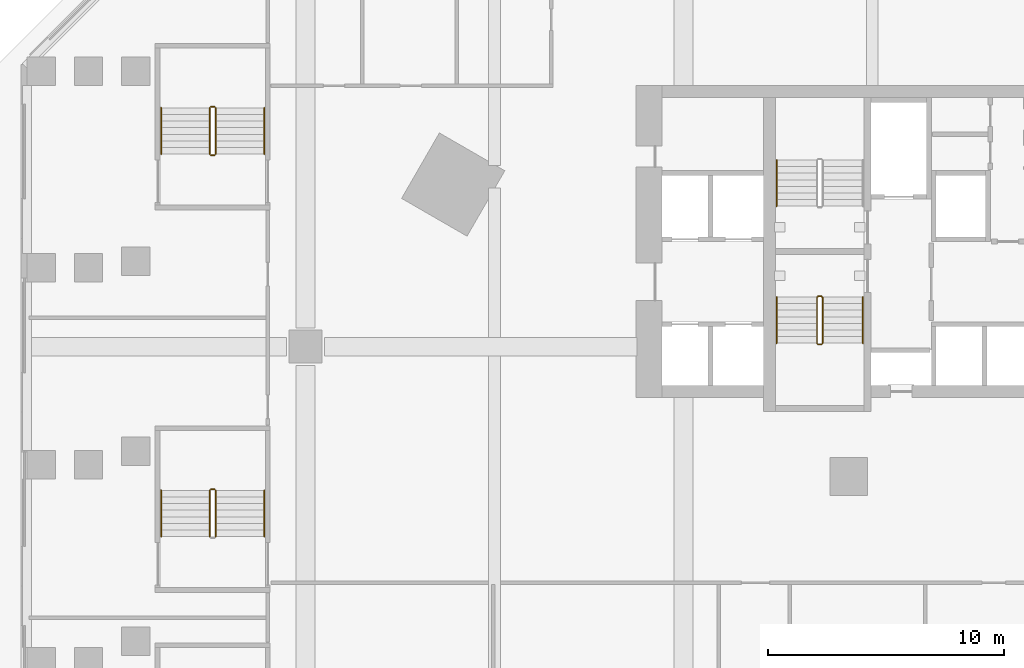
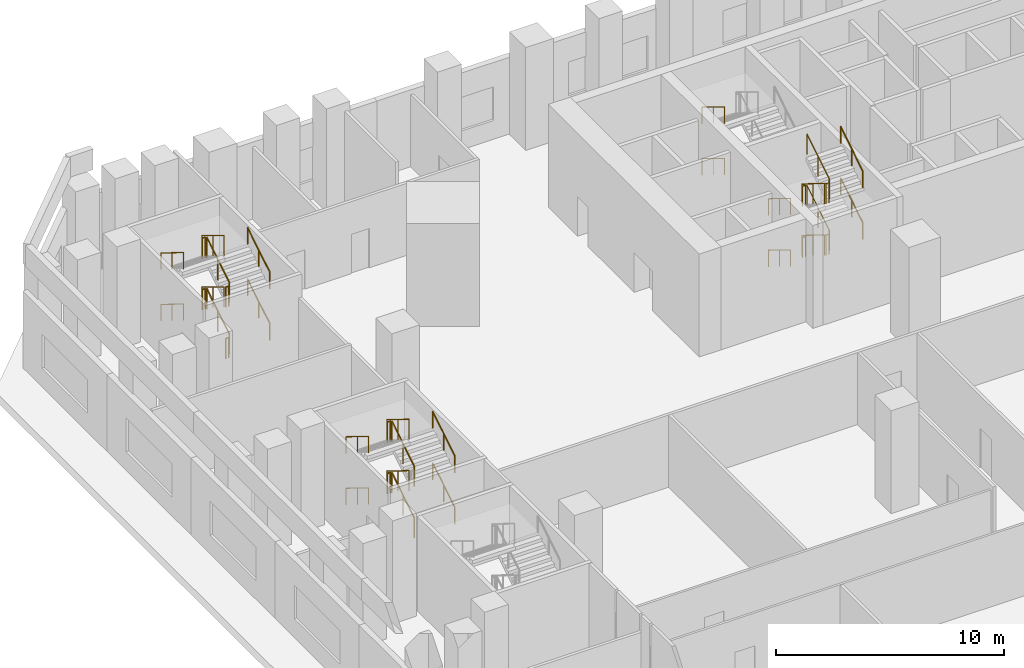
# One storey, part 19 of 22: 29 railings.
"""IFC4 building model written with IfcOpenShell, lengths in metres."""

from ifc_helpers import new_model, si_unit, direction, frame, origin, origin_2d, place, context, subcontext, project, spatial, circle, extrude, material, type_object, element, save


model = new_model("IFC4")

# Units and contexts
model_context = context("Model", 3, precision=1e-05, world=origin(), true_north=direction((0.0, 1.0)))
body_context = subcontext(model_context, "Body", "Model", "MODEL_VIEW")
ifc_project = project(units=[si_unit("LENGTHUNIT", "METRE"), si_unit("AREAUNIT", "SQUARE_METRE"), si_unit("VOLUMEUNIT", "CUBIC_METRE"), si_unit("PLANEANGLEUNIT", "RADIAN"), si_unit("MASSUNIT", "GRAM", prefix="KILO")], contexts=[model_context])

# Site, building, storey
site_placement = place(None, origin())
site = spatial("IfcSite", under=ifc_project, at=site_placement, CompositionType="ELEMENT")
building_placement = place(site_placement, origin())
building = spatial("IfcBuilding", under=site, at=building_placement, Name="Calabash Gate Tower", CompositionType="ELEMENT")
storey_placement = place(building_placement, frame((0.0, 0.0, 29.0)))
storey = spatial("IfcBuildingStorey", under=building, at=storey_placement, Name="L03", CompositionType="ELEMENT", Elevation=29.0)

# Railings
ifc_material_1 = material(Name="Black powder-coated steel balusters", Category="steel")
railing_type_1 = type_object("IfcRailingType", Name="Stair guard RL1100", PredefinedType="GUARDRAIL", material=ifc_material_1)
railing_1_placement = place(storey_placement, frame((-10.300048828125, 10.152587890625, 0.0)))
element("IfcRailing", 1, at=railing_1_placement, inside=storey, type_object=railing_type_1, Name="L03 ST2 stair guard 1", PredefinedType="GUARDRAIL", context=body_context, shape_type="SweptSolid", body=[
    extrude(circle(Radius=0.02392578125, at=origin_2d()), frame((0.0, 0.0, 1.076171875), z_axis=(1.0, 0.0, 0.0), x_axis=(0.0, 1.0, 0.0)), (0.0, 0.0, 1.0), 0.150146484375),
    extrude(circle(Radius=0.02392578125, at=origin_2d()), frame((0.150146484375, 0.0, 1.076171875), z_axis=(-0.745441916174, -0.186360479043, 0.6399891573), x_axis=(0.242535625036, -0.970142500145, 0.0)), (0.0, 0.0, 1.0), 0.2685546875),
    extrude(circle(Radius=0.02392578125, at=origin_2d()), frame((-0.050048828125, -0.050048828125, 1.248046875), z_axis=(0.0, -0.851395084437, 0.52452493763), x_axis=(1.0, 0.0, 0.0)), (0.0, 0.0, 1.0), 2.293701171875),
    extrude(circle(Radius=0.02392578125, at=origin_2d()), frame((-0.050048828125, -2.0029296875, 2.451171875), z_axis=(0.707106781187, -0.707106781187, 0.0), x_axis=(0.707106781187, 0.707106781187, 0.0)), (0.0, 0.0, 1.0), 0.07080078125),
    extrude(circle(Radius=0.02392578125, at=origin_2d()), frame((0.0, -2.052978515625, 2.451171875), z_axis=(1.0, 0.0, 0.0), x_axis=(0.0, 1.0, 0.0)), (0.0, 0.0, 1.0), 0.150146484375),
    extrude(circle(Radius=0.02392578125, at=origin_2d()), frame((0.150146484375, -2.052978515625, 2.451171875), z_axis=(0.268036860282, 0.26935076646, 0.924989949209), x_axis=(-0.708833529934, 0.705375805398, 0.0)), (0.0, 0.0, 1.0), 0.185791015625),
    extrude(circle(Radius=0.02392578125, at=origin_2d()), frame((0.199951171875, -2.0029296875, 2.623046875), z_axis=(0.0, 0.851395084437, 0.52452493763), x_axis=(-1.0, 0.0, 0.0)), (0.0, 0.0, 1.0), 2.293701171875),
    extrude(circle(Radius=0.02392578125, at=origin_2d()), frame((0.199951171875, -0.050048828125, 3.826171875), z_axis=(-0.970072785993, 0.242814311512, 0.0), x_axis=(-0.242814311512, -0.970072785993, 0.0)), (0.0, 0.0, 1.0), 0.2060546875),
    extrude(circle(Radius=0.02392578125, at=origin_2d()), frame((0.0, 0.0, 3.826171875), z_axis=(1.0, 0.0, 0.0), x_axis=(0.0, 1.0, 0.0)), (0.0, 0.0, 1.0), 0.150146484375),
    extrude(circle(Radius=0.02392578125, at=origin_2d()), frame((0.150146484375, 0.0, 3.826171875), z_axis=(-0.745441916174, -0.186360479043, 0.6399891573), x_axis=(0.242535625036, -0.970142500145, 0.0)), (0.0, 0.0, 1.0), 0.2685546875),
    extrude(circle(Radius=0.02392578125, at=origin_2d()), frame((-0.050048828125, -0.050048828125, 3.998046875), z_axis=(0.0, -0.851395084437, 0.52452493763), x_axis=(1.0, 0.0, 0.0)), (0.0, 0.0, 1.0), 2.293701171875),
    extrude(circle(Radius=0.02392578125, at=origin_2d()), frame((-0.050048828125, -2.0029296875, 5.201171875), z_axis=(0.707106781187, -0.707106781187, 0.0), x_axis=(0.707106781187, 0.707106781187, 0.0)), (0.0, 0.0, 1.0), 0.07080078125),
    extrude(circle(Radius=0.02392578125, at=origin_2d()), frame((0.0, -2.052978515625, 5.201171875), z_axis=(1.0, 0.0, 0.0), x_axis=(0.0, 1.0, 0.0)), (0.0, 0.0, 1.0), 0.150146484375),
    extrude(circle(Radius=0.02392578125, at=origin_2d()), frame((0.150146484375, -2.052978515625, 5.201171875), z_axis=(0.268036860282, 0.26935076646, 0.924989949209), x_axis=(-0.708833529934, 0.705375805398, 0.0)), (0.0, 0.0, 1.0), 0.185791015625),
    extrude(circle(Radius=0.02392578125, at=origin_2d()), frame((0.199951171875, -2.0029296875, 5.373046875), z_axis=(0.0, 0.851395084437, 0.52452493763), x_axis=(-1.0, 0.0, 0.0)), (0.0, 0.0, 1.0), 2.293701171875),
    extrude(circle(Radius=0.02099609375, at=origin_2d()), origin(), (0.0, 0.0, 1.0), 1.052001953125),
    extrude(circle(Radius=0.02099609375, at=origin_2d()), frame((0.150146484375, 0.0, 0.0)), (0.0, 0.0, 1.0), 1.052001953125),
    extrude(circle(Radius=0.02099609375, at=origin_2d()), frame((-0.050048828125, -0.050048828125, 0.171875)), (0.0, 0.0, 1.0), 1.052001953125),
    extrude(circle(Radius=0.02099609375, at=origin_2d()), frame((-0.050048828125, -1.0263671875, 0.7734375)), (0.0, 0.0, 1.0), 1.052001953125),
    extrude(circle(Radius=0.02099609375, at=origin_2d()), frame((-0.050048828125, -2.0029296875, 1.375)), (0.0, 0.0, 1.0), 1.052001953125),
    extrude(circle(Radius=0.02099609375, at=origin_2d()), frame((0.0, -2.052978515625, 1.375)), (0.0, 0.0, 1.0), 1.052001953125),
    extrude(circle(Radius=0.02099609375, at=origin_2d()), frame((0.150146484375, -2.052978515625, 1.375)), (0.0, 0.0, 1.0), 1.052001953125),
    extrude(circle(Radius=0.02099609375, at=origin_2d()), frame((0.199951171875, -2.0029296875, 1.546875)), (0.0, 0.0, 1.0), 1.052001953125),
    extrude(circle(Radius=0.02099609375, at=origin_2d()), frame((0.199951171875, -1.0263671875, 2.1484375)), (0.0, 0.0, 1.0), 1.052001953125),
    extrude(circle(Radius=0.02099609375, at=origin_2d()), frame((0.199951171875, -0.050048828125, 2.75)), (0.0, 0.0, 1.0), 1.052001953125),
    extrude(circle(Radius=0.02099609375, at=origin_2d()), frame((0.0, 0.0, 2.75)), (0.0, 0.0, 1.0), 1.052001953125),
    extrude(circle(Radius=0.02099609375, at=origin_2d()), frame((0.150146484375, 0.0, 2.75)), (0.0, 0.0, 1.0), 1.052001953125),
    extrude(circle(Radius=0.02099609375, at=origin_2d()), frame((-0.050048828125, -0.050048828125, 2.921875)), (0.0, 0.0, 1.0), 1.052001953125),
    extrude(circle(Radius=0.02099609375, at=origin_2d()), frame((-0.050048828125, -1.0263671875, 3.5234375)), (0.0, 0.0, 1.0), 1.052001953125),
    extrude(circle(Radius=0.02099609375, at=origin_2d()), frame((-0.050048828125, -2.0029296875, 4.125)), (0.0, 0.0, 1.0), 1.052001953125),
    extrude(circle(Radius=0.02099609375, at=origin_2d()), frame((0.0, -2.052978515625, 4.125)), (0.0, 0.0, 1.0), 1.052001953125),
    extrude(circle(Radius=0.02099609375, at=origin_2d()), frame((0.150146484375, -2.052978515625, 4.125)), (0.0, 0.0, 1.0), 1.052001953125),
    extrude(circle(Radius=0.02099609375, at=origin_2d()), frame((0.199951171875, -2.0029296875, 4.296875)), (0.0, 0.0, 1.0), 1.052001953125),
    extrude(circle(Radius=0.02099609375, at=origin_2d()), frame((0.199951171875, -1.0263671875, 4.8984375)), (0.0, 0.0, 1.0), 1.052001953125),
    extrude(circle(Radius=0.02099609375, at=origin_2d()), frame((0.199951171875, -0.050048828125, 5.5)), (0.0, 0.0, 1.0), 1.052001953125),
])
railing_2_placement = place(storey_placement, frame((-35.81005859375, -0.0400390625, 0.171875)))
element("IfcRailing", 2, at=railing_2_placement, inside=storey, type_object=railing_type_1, Name="L03 PS4 stair guard 1", PredefinedType="GUARDRAIL", context=body_context, shape_type="SweptSolid", body=[
    extrude(circle(Radius=0.02392578125, at=origin_2d()), frame((0.0, 0.0, 1.076171875), z_axis=(0.0, 0.851424364277, 0.524477408394), x_axis=(-1.0, 0.0, 0.0)), (0.0, 0.0, 1.0), 2.2939453125),
    extrude(circle(Radius=0.02099609375, at=origin_2d()), origin(), (0.0, 0.0, 1.0), 1.052001953125),
    extrude(circle(Radius=0.02099609375, at=origin_2d()), frame((0.0, 0.9765625, 0.6015625)), (0.0, 0.0, 1.0), 1.052001953125),
    extrude(circle(Radius=0.02099609375, at=origin_2d()), frame((0.0, 1.953125, 1.203125)), (0.0, 0.0, 1.0), 1.052001953125),
])
railing_3_placement = place(storey_placement, frame((-35.860107421875, 1.962890625, 1.375)))
element("IfcRailing", 3, at=railing_3_placement, inside=storey, type_object=railing_type_1, Name="L03 PS4 stair guard 2", PredefinedType="GUARDRAIL", context=body_context, shape_type="SweptSolid", body=[
    extrude(circle(Radius=0.02392578125, at=origin_2d()), frame((0.0, 0.0, 1.076171875), z_axis=(-1.0, 0.0, 0.0), x_axis=(0.0, -1.0, 0.0)), (0.0, 0.0, 1.0), 0.14990234375),
    extrude(circle(Radius=0.02099609375, at=origin_2d()), origin(), (0.0, 0.0, 1.0), 1.052001953125),
    extrude(circle(Radius=0.02099609375, at=origin_2d()), frame((-0.14990234375, 0.0, 0.0)), (0.0, 0.0, 1.0), 1.052001953125),
])
railing_4_placement = place(storey_placement, frame((-36.06005859375, 1.9130859375, 1.546875)))
element("IfcRailing", 4, at=railing_4_placement, inside=storey, type_object=railing_type_1, Name="L03 PS4 stair guard 3", PredefinedType="GUARDRAIL", context=body_context, shape_type="SweptSolid", body=[
    extrude(circle(Radius=0.02392578125, at=origin_2d()), frame((0.0, 0.0, 1.076171875), z_axis=(0.0, -0.851424364277, 0.524477408394), x_axis=(1.0, 0.0, 0.0)), (0.0, 0.0, 1.0), 2.2939453125),
    extrude(circle(Radius=0.02099609375, at=origin_2d()), origin(), (0.0, 0.0, 1.0), 1.052001953125),
    extrude(circle(Radius=0.02099609375, at=origin_2d()), frame((0.0, -0.9765625, 0.6015625)), (0.0, 0.0, 1.0), 1.052001953125),
    extrude(circle(Radius=0.02099609375, at=origin_2d()), frame((0.0, -1.953125, 1.203125)), (0.0, 0.0, 1.0), 1.052001953125),
])
railing_5_placement = place(storey_placement, frame((-35.81005859375, -0.0400390625, 2.921875)))
element("IfcRailing", 5, at=railing_5_placement, inside=storey, type_object=railing_type_1, Name="L03 PS4 stair guard 5", PredefinedType="GUARDRAIL", context=body_context, shape_type="SweptSolid", body=[
    extrude(circle(Radius=0.02392578125, at=origin_2d()), frame((0.0, 0.0, 1.076171875), z_axis=(0.0, 0.851424364277, 0.524477408394), x_axis=(-1.0, 0.0, 0.0)), (0.0, 0.0, 1.0), 2.2939453125),
    extrude(circle(Radius=0.02099609375, at=origin_2d()), origin(), (0.0, 0.0, 1.0), 1.052001953125),
    extrude(circle(Radius=0.02099609375, at=origin_2d()), frame((0.0, 0.9765625, 0.6015625)), (0.0, 0.0, 1.0), 1.052001953125),
    extrude(circle(Radius=0.02099609375, at=origin_2d()), frame((0.0, 1.953125, 1.203125)), (0.0, 0.0, 1.0), 1.052001953125),
])
railing_6_placement = place(storey_placement, frame((-35.860107421875, 1.962890625, 4.125)))
element("IfcRailing", 6, at=railing_6_placement, inside=storey, type_object=railing_type_1, Name="L03 PS4 stair guard 6", PredefinedType="GUARDRAIL", context=body_context, shape_type="SweptSolid", body=[
    extrude(circle(Radius=0.02392578125, at=origin_2d()), frame((0.0, 0.0, 1.076171875), z_axis=(-1.0, 0.0, 0.0), x_axis=(0.0, -1.0, 0.0)), (0.0, 0.0, 1.0), 0.14990234375),
    extrude(circle(Radius=0.02099609375, at=origin_2d()), origin(), (0.0, 0.0, 1.0), 1.052001953125),
    extrude(circle(Radius=0.02099609375, at=origin_2d()), frame((-0.14990234375, 0.0, 0.0)), (0.0, 0.0, 1.0), 1.052001953125),
])
railing_7_placement = place(storey_placement, frame((-36.06005859375, 1.9130859375, 4.296875)))
element("IfcRailing", 7, at=railing_7_placement, inside=storey, type_object=railing_type_1, Name="L03 PS4 stair guard 7", PredefinedType="GUARDRAIL", context=body_context, shape_type="SweptSolid", body=[
    extrude(circle(Radius=0.02392578125, at=origin_2d()), frame((0.0, 0.0, 1.076171875), z_axis=(0.0, -0.851424364277, 0.524477408394), x_axis=(1.0, 0.0, 0.0)), (0.0, 0.0, 1.0), 2.2939453125),
    extrude(circle(Radius=0.02099609375, at=origin_2d()), origin(), (0.0, 0.0, 1.0), 1.052001953125),
    extrude(circle(Radius=0.02099609375, at=origin_2d()), frame((0.0, -0.9765625, 0.6015625)), (0.0, 0.0, 1.0), 1.052001953125),
    extrude(circle(Radius=0.02099609375, at=origin_2d()), frame((0.0, -1.953125, 1.203125)), (0.0, 0.0, 1.0), 1.052001953125),
])
railing_8_placement = place(storey_placement, frame((-35.81005859375, 16.159912109375, 0.171875)))
element("IfcRailing", 8, at=railing_8_placement, inside=storey, type_object=railing_type_1, Name="L03 PS5 stair guard 1", PredefinedType="GUARDRAIL", context=body_context, shape_type="SweptSolid", body=[
    extrude(circle(Radius=0.02392578125, at=origin_2d()), frame((0.0, 0.0, 1.076171875), z_axis=(0.0, 0.851424364277, 0.524477408394), x_axis=(-1.0, 0.0, 0.0)), (0.0, 0.0, 1.0), 2.2939453125),
    extrude(circle(Radius=0.02099609375, at=origin_2d()), origin(), (0.0, 0.0, 1.0), 1.052001953125),
    extrude(circle(Radius=0.02099609375, at=origin_2d()), frame((0.0, 0.9765625, 0.6015625)), (0.0, 0.0, 1.0), 1.052001953125),
    extrude(circle(Radius=0.02099609375, at=origin_2d()), frame((0.0, 1.953125, 1.203125)), (0.0, 0.0, 1.0), 1.052001953125),
])
railing_9_placement = place(storey_placement, frame((-35.860107421875, 18.1630859375, 1.375)))
element("IfcRailing", 9, at=railing_9_placement, inside=storey, type_object=railing_type_1, Name="L03 PS5 stair guard 2", PredefinedType="GUARDRAIL", context=body_context, shape_type="SweptSolid", body=[
    extrude(circle(Radius=0.02392578125, at=origin_2d()), frame((0.0, 0.0, 1.076171875), z_axis=(-1.0, 0.0, 0.0), x_axis=(0.0, -1.0, 0.0)), (0.0, 0.0, 1.0), 0.14990234375),
    extrude(circle(Radius=0.02099609375, at=origin_2d()), origin(), (0.0, 0.0, 1.0), 1.052001953125),
    extrude(circle(Radius=0.02099609375, at=origin_2d()), frame((-0.14990234375, 0.0, 0.0)), (0.0, 0.0, 1.0), 1.052001953125),
])
railing_10_placement = place(storey_placement, frame((-36.06005859375, 18.113037109375, 1.546875)))
element("IfcRailing", 10, at=railing_10_placement, inside=storey, type_object=railing_type_1, Name="L03 PS5 stair guard 3", PredefinedType="GUARDRAIL", context=body_context, shape_type="SweptSolid", body=[
    extrude(circle(Radius=0.02392578125, at=origin_2d()), frame((0.0, 0.0, 1.076171875), z_axis=(0.0, -0.851424364277, 0.524477408394), x_axis=(1.0, 0.0, 0.0)), (0.0, 0.0, 1.0), 2.2939453125),
    extrude(circle(Radius=0.02099609375, at=origin_2d()), origin(), (0.0, 0.0, 1.0), 1.052001953125),
    extrude(circle(Radius=0.02099609375, at=origin_2d()), frame((0.0, -0.9765625, 0.6015625)), (0.0, 0.0, 1.0), 1.052001953125),
    extrude(circle(Radius=0.02099609375, at=origin_2d()), frame((0.0, -1.953125, 1.203125)), (0.0, 0.0, 1.0), 1.052001953125),
])
railing_11_placement = place(storey_placement, frame((-35.860107421875, 16.110107421875, 2.75)))
element("IfcRailing", 11, at=railing_11_placement, inside=storey, type_object=railing_type_1, Name="L03 PS5 stair guard 4", PredefinedType="GUARDRAIL", context=body_context, shape_type="SweptSolid", body=[
    extrude(circle(Radius=0.02392578125, at=origin_2d()), frame((0.0, 0.0, 1.076171875), z_axis=(-1.0, 0.0, 0.0), x_axis=(0.0, -1.0, 0.0)), (0.0, 0.0, 1.0), 0.14990234375),
    extrude(circle(Radius=0.02099609375, at=origin_2d()), origin(), (0.0, 0.0, 1.0), 1.052001953125),
    extrude(circle(Radius=0.02099609375, at=origin_2d()), frame((-0.14990234375, 0.0, 0.0)), (0.0, 0.0, 1.0), 1.052001953125),
])
railing_12_placement = place(storey_placement, frame((-35.81005859375, 16.159912109375, 2.921875)))
element("IfcRailing", 12, at=railing_12_placement, inside=storey, type_object=railing_type_1, Name="L03 PS5 stair guard 5", PredefinedType="GUARDRAIL", context=body_context, shape_type="SweptSolid", body=[
    extrude(circle(Radius=0.02392578125, at=origin_2d()), frame((0.0, 0.0, 1.076171875), z_axis=(0.0, 0.851424364277, 0.524477408394), x_axis=(-1.0, 0.0, 0.0)), (0.0, 0.0, 1.0), 2.2939453125),
    extrude(circle(Radius=0.02099609375, at=origin_2d()), origin(), (0.0, 0.0, 1.0), 1.052001953125),
    extrude(circle(Radius=0.02099609375, at=origin_2d()), frame((0.0, 0.9765625, 0.6015625)), (0.0, 0.0, 1.0), 1.052001953125),
    extrude(circle(Radius=0.02099609375, at=origin_2d()), frame((0.0, 1.953125, 1.203125)), (0.0, 0.0, 1.0), 1.052001953125),
])
railing_13_placement = place(storey_placement, frame((-35.860107421875, 18.1630859375, 4.125)))
element("IfcRailing", 13, at=railing_13_placement, inside=storey, type_object=railing_type_1, Name="L03 PS5 stair guard 6", PredefinedType="GUARDRAIL", context=body_context, shape_type="SweptSolid", body=[
    extrude(circle(Radius=0.02392578125, at=origin_2d()), frame((0.0, 0.0, 1.076171875), z_axis=(-1.0, 0.0, 0.0), x_axis=(0.0, -1.0, 0.0)), (0.0, 0.0, 1.0), 0.14990234375),
    extrude(circle(Radius=0.02099609375, at=origin_2d()), origin(), (0.0, 0.0, 1.0), 1.052001953125),
    extrude(circle(Radius=0.02099609375, at=origin_2d()), frame((-0.14990234375, 0.0, 0.0)), (0.0, 0.0, 1.0), 1.052001953125),
])
railing_14_placement = place(storey_placement, frame((-36.06005859375, 18.113037109375, 4.296875)))
element("IfcRailing", 14, at=railing_14_placement, inside=storey, type_object=railing_type_1, Name="L03 PS5 stair guard 7", PredefinedType="GUARDRAIL", context=body_context, shape_type="SweptSolid", body=[
    extrude(circle(Radius=0.02392578125, at=origin_2d()), frame((0.0, 0.0, 1.076171875), z_axis=(0.0, -0.851424364277, 0.524477408394), x_axis=(1.0, 0.0, 0.0)), (0.0, 0.0, 1.0), 2.2939453125),
    extrude(circle(Radius=0.02099609375, at=origin_2d()), origin(), (0.0, 0.0, 1.0), 1.052001953125),
    extrude(circle(Radius=0.02099609375, at=origin_2d()), frame((0.0, -0.9765625, 0.6015625)), (0.0, 0.0, 1.0), 1.052001953125),
    extrude(circle(Radius=0.02099609375, at=origin_2d()), frame((0.0, -1.953125, 1.203125)), (0.0, 0.0, 1.0), 1.052001953125),
])
railing_15_placement = place(storey_placement, frame((-35.860107421875, 16.110107421875, 0.0)))
element("IfcRailing", 15, at=railing_15_placement, inside=storey, type_object=railing_type_1, Name="L03 PS5 stair guard 8", PredefinedType="GUARDRAIL", context=body_context, shape_type="SweptSolid", body=[
    extrude(circle(Radius=0.02392578125, at=origin_2d()), frame((0.0, 0.0, 1.076171875), z_axis=(-1.0, 0.0, 0.0), x_axis=(0.0, -1.0, 0.0)), (0.0, 0.0, 1.0), 0.14990234375),
    extrude(circle(Radius=0.02099609375, at=origin_2d()), origin(), (0.0, 0.0, 1.0), 1.052001953125),
    extrude(circle(Radius=0.02099609375, at=origin_2d()), frame((-0.14990234375, 0.0, 0.0)), (0.0, 0.0, 1.0), 1.052001953125),
])
ifc_material_2 = material(Name="Black powder-coated steel tube 48 mm", Category="steel")
railing_type_2 = type_object("IfcRailingType", Name="Stair handrail RL900", PredefinedType="HANDRAIL", material=ifc_material_2)
for number, where, name in (
    (16, (-12.050048828125, 15.905517578125, 1.546875), "L03 ST1 stair handrail 2"),
    (17, (-12.050048828125, 15.905517578125, 4.296875), "L03 ST1 stair handrail 4"),
    (18, (-12.050048828125, 10.1025390625, 0.171875), "L03 ST2 stair handrail 1"),
):
    element("IfcRailing", number, at=place(storey_placement, frame(where)), inside=storey, type_object=railing_type_2, Name=name, PredefinedType="HANDRAIL", context=body_context, shape_type="SweptSolid", body=[
        extrude(circle(Radius=0.02392578125, at=origin_2d()), frame((0.0, 0.0, 0.8759765625), z_axis=(0.0, -0.851395084437, 0.52452493763), x_axis=(1.0, 0.0, 0.0)), (0.0, 0.0, 1.0), 2.293701171875),
        extrude(circle(Radius=0.02099609375, at=origin_2d()), origin(), (0.0, 0.0, 1.0), 0.851806640625),
        extrude(circle(Radius=0.02099609375, at=origin_2d()), frame((0.0, -0.9765625, 0.6015625)), (0.0, 0.0, 1.0), 0.851806640625),
        extrude(circle(Radius=0.02099609375, at=origin_2d()), frame((0.0, -1.952880859375, 1.203125)), (0.0, 0.0, 1.0), 0.851806640625),
    ])
railing_16_placement = place(storey_placement, frame((-8.39990234375, 8.149658203125, 1.546875)))
element("IfcRailing", 19, at=railing_16_placement, inside=storey, type_object=railing_type_2, Name="L03 ST2 stair handrail 2", PredefinedType="HANDRAIL", context=body_context, shape_type="SweptSolid", body=[
    extrude(circle(Radius=0.02392578125, at=origin_2d()), frame((0.0, 0.0, 0.8759765625), z_axis=(0.0, 0.851395084437, 0.52452493763), x_axis=(-1.0, 0.0, 0.0)), (0.0, 0.0, 1.0), 2.293701171875),
    extrude(circle(Radius=0.02099609375, at=origin_2d()), origin(), (0.0, 0.0, 1.0), 0.851806640625),
    extrude(circle(Radius=0.02099609375, at=origin_2d()), frame((0.0, 0.9765625, 0.6015625)), (0.0, 0.0, 1.0), 0.851806640625),
    extrude(circle(Radius=0.02099609375, at=origin_2d()), frame((0.0, 1.952880859375, 1.203125)), (0.0, 0.0, 1.0), 0.851806640625),
])
railing_17_placement = place(storey_placement, frame((-12.050048828125, 10.1025390625, 2.921875)))
element("IfcRailing", 20, at=railing_17_placement, inside=storey, type_object=railing_type_2, Name="L03 ST2 stair handrail 3", PredefinedType="HANDRAIL", context=body_context, shape_type="SweptSolid", body=[
    extrude(circle(Radius=0.02392578125, at=origin_2d()), frame((0.0, 0.0, 0.8759765625), z_axis=(0.0, -0.851395084437, 0.52452493763), x_axis=(1.0, 0.0, 0.0)), (0.0, 0.0, 1.0), 2.293701171875),
    extrude(circle(Radius=0.02099609375, at=origin_2d()), origin(), (0.0, 0.0, 1.0), 0.851806640625),
    extrude(circle(Radius=0.02099609375, at=origin_2d()), frame((0.0, -0.9765625, 0.6015625)), (0.0, 0.0, 1.0), 0.851806640625),
    extrude(circle(Radius=0.02099609375, at=origin_2d()), frame((0.0, -1.952880859375, 1.203125)), (0.0, 0.0, 1.0), 0.851806640625),
])
railing_18_placement = place(storey_placement, frame((-8.39990234375, 8.149658203125, 4.296875)))
element("IfcRailing", 21, at=railing_18_placement, inside=storey, type_object=railing_type_2, Name="L03 ST2 stair handrail 4", PredefinedType="HANDRAIL", context=body_context, shape_type="SweptSolid", body=[
    extrude(circle(Radius=0.02392578125, at=origin_2d()), frame((0.0, 0.0, 0.8759765625), z_axis=(0.0, 0.851395084437, 0.52452493763), x_axis=(-1.0, 0.0, 0.0)), (0.0, 0.0, 1.0), 2.293701171875),
    extrude(circle(Radius=0.02099609375, at=origin_2d()), origin(), (0.0, 0.0, 1.0), 0.851806640625),
    extrude(circle(Radius=0.02099609375, at=origin_2d()), frame((0.0, 0.9765625, 0.6015625)), (0.0, 0.0, 1.0), 0.851806640625),
    extrude(circle(Radius=0.02099609375, at=origin_2d()), frame((0.0, 1.952880859375, 1.203125)), (0.0, 0.0, 1.0), 0.851806640625),
])
railing_19_placement = place(storey_placement, frame((-33.75, -0.0400390625, 0.171875)))
element("IfcRailing", 22, at=railing_19_placement, inside=storey, type_object=railing_type_2, Name="L03 PS4 stair handrail 1", PredefinedType="HANDRAIL", context=body_context, shape_type="SweptSolid", body=[
    extrude(circle(Radius=0.02392578125, at=origin_2d()), frame((0.0, 0.0, 0.8759765625), z_axis=(0.0, 0.851424364277, 0.524477408394), x_axis=(-1.0, 0.0, 0.0)), (0.0, 0.0, 1.0), 2.2939453125),
    extrude(circle(Radius=0.02099609375, at=origin_2d()), origin(), (0.0, 0.0, 1.0), 0.851806640625),
    extrude(circle(Radius=0.02099609375, at=origin_2d()), frame((0.0, 0.9765625, 0.6015625)), (0.0, 0.0, 1.0), 0.851806640625),
    extrude(circle(Radius=0.02099609375, at=origin_2d()), frame((0.0, 1.953125, 1.203125)), (0.0, 0.0, 1.0), 0.851806640625),
])
railing_20_placement = place(storey_placement, frame((-38.1201171875, 1.9130859375, 1.546875)))
element("IfcRailing", 23, at=railing_20_placement, inside=storey, type_object=railing_type_2, Name="L03 PS4 stair handrail 2", PredefinedType="HANDRAIL", context=body_context, shape_type="SweptSolid", body=[
    extrude(circle(Radius=0.02392578125, at=origin_2d()), frame((0.0, 0.0, 0.8759765625), z_axis=(0.0, -0.851424364277, 0.524477408394), x_axis=(1.0, 0.0, 0.0)), (0.0, 0.0, 1.0), 2.2939453125),
    extrude(circle(Radius=0.02099609375, at=origin_2d()), origin(), (0.0, 0.0, 1.0), 0.851806640625),
    extrude(circle(Radius=0.02099609375, at=origin_2d()), frame((0.0, -0.9765625, 0.6015625)), (0.0, 0.0, 1.0), 0.851806640625),
    extrude(circle(Radius=0.02099609375, at=origin_2d()), frame((0.0, -1.953125, 1.203125)), (0.0, 0.0, 1.0), 0.851806640625),
])
railing_21_placement = place(storey_placement, frame((-33.75, -0.0400390625, 2.921875)))
element("IfcRailing", 24, at=railing_21_placement, inside=storey, type_object=railing_type_2, Name="L03 PS4 stair handrail 3", PredefinedType="HANDRAIL", context=body_context, shape_type="SweptSolid", body=[
    extrude(circle(Radius=0.02392578125, at=origin_2d()), frame((0.0, 0.0, 0.8759765625), z_axis=(0.0, 0.851424364277, 0.524477408394), x_axis=(-1.0, 0.0, 0.0)), (0.0, 0.0, 1.0), 2.2939453125),
    extrude(circle(Radius=0.02099609375, at=origin_2d()), origin(), (0.0, 0.0, 1.0), 0.851806640625),
    extrude(circle(Radius=0.02099609375, at=origin_2d()), frame((0.0, 0.9765625, 0.6015625)), (0.0, 0.0, 1.0), 0.851806640625),
    extrude(circle(Radius=0.02099609375, at=origin_2d()), frame((0.0, 1.953125, 1.203125)), (0.0, 0.0, 1.0), 0.851806640625),
])
railing_22_placement = place(storey_placement, frame((-38.1201171875, 1.9130859375, 4.296875)))
element("IfcRailing", 25, at=railing_22_placement, inside=storey, type_object=railing_type_2, Name="L03 PS4 stair handrail 4", PredefinedType="HANDRAIL", context=body_context, shape_type="SweptSolid", body=[
    extrude(circle(Radius=0.02392578125, at=origin_2d()), frame((0.0, 0.0, 0.8759765625), z_axis=(0.0, -0.851424364277, 0.524477408394), x_axis=(1.0, 0.0, 0.0)), (0.0, 0.0, 1.0), 2.2939453125),
    extrude(circle(Radius=0.02099609375, at=origin_2d()), origin(), (0.0, 0.0, 1.0), 0.851806640625),
    extrude(circle(Radius=0.02099609375, at=origin_2d()), frame((0.0, -0.9765625, 0.6015625)), (0.0, 0.0, 1.0), 0.851806640625),
    extrude(circle(Radius=0.02099609375, at=origin_2d()), frame((0.0, -1.953125, 1.203125)), (0.0, 0.0, 1.0), 0.851806640625),
])
railing_23_placement = place(storey_placement, frame((-33.75, 16.159912109375, 0.171875)))
element("IfcRailing", 26, at=railing_23_placement, inside=storey, type_object=railing_type_2, Name="L03 PS5 stair handrail 1", PredefinedType="HANDRAIL", context=body_context, shape_type="SweptSolid", body=[
    extrude(circle(Radius=0.02392578125, at=origin_2d()), frame((0.0, 0.0, 0.8759765625), z_axis=(0.0, 0.851424364277, 0.524477408394), x_axis=(-1.0, 0.0, 0.0)), (0.0, 0.0, 1.0), 2.2939453125),
    extrude(circle(Radius=0.02099609375, at=origin_2d()), origin(), (0.0, 0.0, 1.0), 0.851806640625),
    extrude(circle(Radius=0.02099609375, at=origin_2d()), frame((0.0, 0.9765625, 0.6015625)), (0.0, 0.0, 1.0), 0.851806640625),
    extrude(circle(Radius=0.02099609375, at=origin_2d()), frame((0.0, 1.953125, 1.203125)), (0.0, 0.0, 1.0), 0.851806640625),
])
railing_24_placement = place(storey_placement, frame((-38.1201171875, 18.113037109375, 1.546875)))
element("IfcRailing", 27, at=railing_24_placement, inside=storey, type_object=railing_type_2, Name="L03 PS5 stair handrail 2", PredefinedType="HANDRAIL", context=body_context, shape_type="SweptSolid", body=[
    extrude(circle(Radius=0.02392578125, at=origin_2d()), frame((0.0, 0.0, 0.8759765625), z_axis=(0.0, -0.851424364277, 0.524477408394), x_axis=(1.0, 0.0, 0.0)), (0.0, 0.0, 1.0), 2.2939453125),
    extrude(circle(Radius=0.02099609375, at=origin_2d()), origin(), (0.0, 0.0, 1.0), 0.851806640625),
    extrude(circle(Radius=0.02099609375, at=origin_2d()), frame((0.0, -0.9765625, 0.6015625)), (0.0, 0.0, 1.0), 0.851806640625),
    extrude(circle(Radius=0.02099609375, at=origin_2d()), frame((0.0, -1.953125, 1.203125)), (0.0, 0.0, 1.0), 0.851806640625),
])
railing_25_placement = place(storey_placement, frame((-33.75, 16.159912109375, 2.921875)))
element("IfcRailing", 28, at=railing_25_placement, inside=storey, type_object=railing_type_2, Name="L03 PS5 stair handrail 3", PredefinedType="HANDRAIL", context=body_context, shape_type="SweptSolid", body=[
    extrude(circle(Radius=0.02392578125, at=origin_2d()), frame((0.0, 0.0, 0.8759765625), z_axis=(0.0, 0.851424364277, 0.524477408394), x_axis=(-1.0, 0.0, 0.0)), (0.0, 0.0, 1.0), 2.2939453125),
    extrude(circle(Radius=0.02099609375, at=origin_2d()), origin(), (0.0, 0.0, 1.0), 0.851806640625),
    extrude(circle(Radius=0.02099609375, at=origin_2d()), frame((0.0, 0.9765625, 0.6015625)), (0.0, 0.0, 1.0), 0.851806640625),
    extrude(circle(Radius=0.02099609375, at=origin_2d()), frame((0.0, 1.953125, 1.203125)), (0.0, 0.0, 1.0), 0.851806640625),
])
railing_26_placement = place(storey_placement, frame((-38.1201171875, 18.113037109375, 4.296875)))
element("IfcRailing", 29, at=railing_26_placement, inside=storey, type_object=railing_type_2, Name="L03 PS5 stair handrail 4", PredefinedType="HANDRAIL", context=body_context, shape_type="SweptSolid", body=[
    extrude(circle(Radius=0.02392578125, at=origin_2d()), frame((0.0, 0.0, 0.8759765625), z_axis=(0.0, -0.851424364277, 0.524477408394), x_axis=(1.0, 0.0, 0.0)), (0.0, 0.0, 1.0), 2.2939453125),
    extrude(circle(Radius=0.02099609375, at=origin_2d()), origin(), (0.0, 0.0, 1.0), 0.851806640625),
    extrude(circle(Radius=0.02099609375, at=origin_2d()), frame((0.0, -0.9765625, 0.6015625)), (0.0, 0.0, 1.0), 0.851806640625),
    extrude(circle(Radius=0.02099609375, at=origin_2d()), frame((0.0, -1.953125, 1.203125)), (0.0, 0.0, 1.0), 0.851806640625),
])

save(model, "model.ifc")
